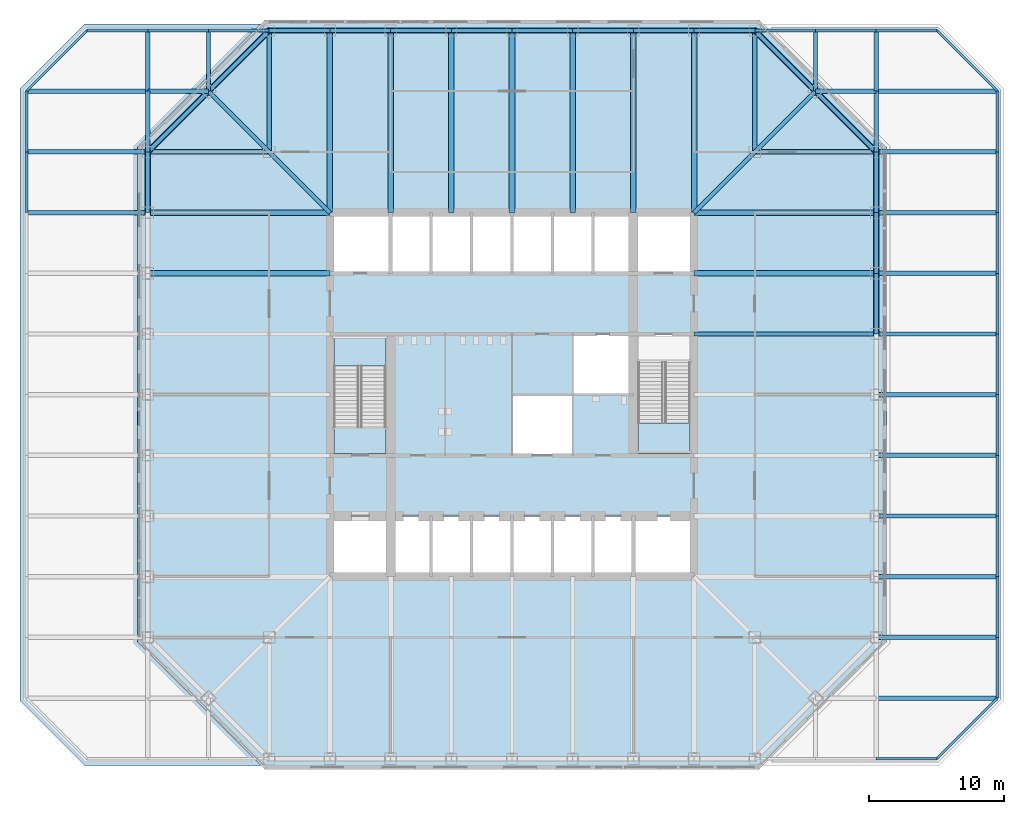
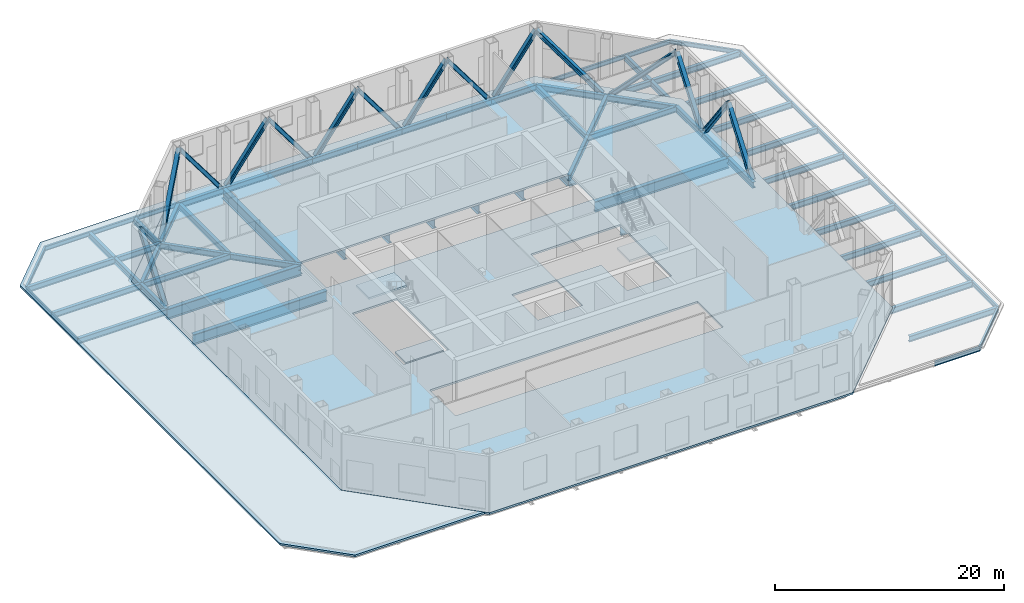
# One storey, part 2 of 10: 80 beams, 16 members, 5 slabs, 2 elements without a shape of their own.
"""IFC4 building model written with IfcOpenShell, lengths in metres."""

from ifc_helpers import new_model, si_unit, direction, frame, origin, origin_2d, place, context, subcontext, project, spatial, polyline, i_section, outline, extrude, material, layer, layer_set, material_profile, profile_set, type_object, element, aggregate, save


model = new_model("IFC4")

# Units and contexts
model_context = context("Model", 3, precision=1e-05, world=origin(), true_north=direction((0.0, 1.0)))
body_context = subcontext(model_context, "Body", "Model", "MODEL_VIEW")
ifc_project = project(units=[si_unit("LENGTHUNIT", "METRE"), si_unit("AREAUNIT", "SQUARE_METRE"), si_unit("VOLUMEUNIT", "CUBIC_METRE"), si_unit("PLANEANGLEUNIT", "RADIAN"), si_unit("MASSUNIT", "GRAM", prefix="KILO")], contexts=[model_context])

# Site, building, storey
site_placement = place(None, origin())
site = spatial("IfcSite", under=ifc_project, at=site_placement, CompositionType="ELEMENT")
building_placement = place(site_placement, origin())
building = spatial("IfcBuilding", under=site, at=building_placement, Name="Corais Broadcast Tower", CompositionType="ELEMENT")
storey_placement = place(building_placement, frame((0.0, 0.0, 23.0)))
storey = spatial("IfcBuildingStorey", under=building, at=storey_placement, Name="L04", CompositionType="ELEMENT", Elevation=23.0)

# Members
ifc_material_1 = material(Name="Steel ASTM A572 Grade 50", Category="steel")
ifc_material_profile_1 = material_profile(ifc_material_1, i_section(OverallWidth=0.404052734375, OverallDepth=0.406982421875, WebThickness=0.027099609375, FlangeThickness=0.043701171875, at=origin_2d()), Name="W360x347")
ifc_profile_set_1 = profile_set([ifc_material_profile_1], Name="Steel ASTM A572 Grade 50")
member_type = type_object("IfcMemberType", Name="Belt truss diagonal W360x347", PredefinedType="BRACE", material=ifc_profile_set_1)
for number, where, z_axis, x_axis, name in (
    (1, (54.0, 31.5, -0.517578125), (0.0, 0.597445358592, 0.801909623023), (-1.0, 0.0, 0.0), "BD1 belt truss diagonal"),
    (2, (54.0, 40.5, -0.517578125), (0.0, -0.597445358592, 0.801909623023), (1.0, 0.0, 0.0), "BD1 belt truss diagonal"),
    (3, (54.0, 40.5, -0.517578125), (0.0, 0.597445358592, 0.801909623023), (-1.0, 0.0, 0.0), "BD1 belt truss diagonal"),
):
    element("IfcMember", number, at=place(storey_placement, frame(where, z_axis=z_axis, x_axis=x_axis)), inside=storey, type_object=member_type, Name=name, PredefinedType="BRACE", context=body_context, shape_type="SweptSolid", body=[
        extrude(i_section(OverallWidth=0.404052734375, OverallDepth=0.406982421875, WebThickness=0.027099609375, FlangeThickness=0.043701171875, at=origin_2d()), origin(), (0.0, 0.0, 1.0), 7.531982421875),
    ])
for number, where, z_axis, x_axis, name in (
    (4, (49.5, 49.5, -0.517578125), (0.512882305449, -0.512882305449, 0.688406479861), (0.707106781187, 0.707106781187, 0.0), "BD1 belt truss diagonal"),
    (5, (49.5, 49.5, -0.517578125), (-0.512882305449, 0.512882305449, 0.688406479861), (-0.707106781187, -0.707106781187, 0.0), "BD1 belt truss diagonal"),
):
    element("IfcMember", number, at=place(storey_placement, frame(where, z_axis=z_axis, x_axis=x_axis)), inside=storey, type_object=member_type, Name=name, PredefinedType="BRACE", context=body_context, shape_type="SweptSolid", body=[
        extrude(i_section(OverallWidth=0.404052734375, OverallDepth=0.406982421875, WebThickness=0.027099609375, FlangeThickness=0.043701171875, at=origin_2d()), origin(), (0.0, 0.0, 1.0), 8.77392578125),
    ])
for number, where, z_axis, x_axis, name in (
    (6, (40.5, 54.0, -0.517578125), (0.597445358592, 0.0, 0.801909623023), (0.0, 1.0, 0.0), "BD1 belt truss diagonal"),
    (7, (40.5, 54.0, -0.517578125), (-0.597445358592, 0.0, 0.801909623023), (0.0, -1.0, 0.0), "BD1 belt truss diagonal"),
    (8, (31.5, 54.0, -0.517578125), (0.597445358592, 0.0, 0.801909623023), (0.0, 1.0, 0.0), "BD1 belt truss diagonal"),
    (9, (31.5, 54.0, -0.517578125), (-0.597445358592, 0.0, 0.801909623023), (0.0, -1.0, 0.0), "BD1 belt truss diagonal"),
    (10, (22.5, 54.0, -0.517578125), (0.597445358592, 0.0, 0.801909623023), (0.0, 1.0, 0.0), "BD1 belt truss diagonal"),
    (11, (22.5, 54.0, -0.517578125), (-0.597445358592, 0.0, 0.801909623023), (0.0, -1.0, 0.0), "BD1 belt truss diagonal"),
    (12, (13.5, 54.0, -0.517578125), (0.597445358592, 0.0, 0.801909623023), (0.0, 1.0, 0.0), "BD1 belt truss diagonal"),
    (13, (13.5, 54.0, -0.517578125), (-0.597445358592, 0.0, 0.801909623023), (0.0, -1.0, 0.0), "BD1 belt truss diagonal"),
):
    element("IfcMember", number, at=place(storey_placement, frame(where, z_axis=z_axis, x_axis=x_axis)), inside=storey, type_object=member_type, Name=name, PredefinedType="BRACE", context=body_context, shape_type="SweptSolid", body=[
        extrude(i_section(OverallWidth=0.404052734375, OverallDepth=0.406982421875, WebThickness=0.027099609375, FlangeThickness=0.043701171875, at=origin_2d()), origin(), (0.0, 0.0, 1.0), 7.531982421875),
    ])
for number, where, z_axis, x_axis, name in (
    (14, (4.5, 49.5, -0.517578125), (0.512882305449, 0.512882305449, 0.688406479861), (-0.707106781187, 0.707106781187, 0.0), "BD1 belt truss diagonal"),
    (15, (4.5, 49.5, -0.517578125), (-0.512882305449, -0.512882305449, 0.688406479861), (0.707106781187, -0.707106781187, 0.0), "BD1 belt truss diagonal"),
):
    element("IfcMember", number, at=place(storey_placement, frame(where, z_axis=z_axis, x_axis=x_axis)), inside=storey, type_object=member_type, Name=name, PredefinedType="BRACE", context=body_context, shape_type="SweptSolid", body=[
        extrude(i_section(OverallWidth=0.404052734375, OverallDepth=0.406982421875, WebThickness=0.027099609375, FlangeThickness=0.043701171875, at=origin_2d()), origin(), (0.0, 0.0, 1.0), 8.77392578125),
    ])
member_placement = place(storey_placement, frame((0.0, 40.5, -0.517578125), z_axis=(0.0, 0.597445358592, 0.801909623023), x_axis=(-1.0, 0.0, 0.0)))
element("IfcMember", 16, at=member_placement, inside=storey, type_object=member_type, Name="BD1 belt truss diagonal", PredefinedType="BRACE", context=body_context, shape_type="SweptSolid", body=[
    extrude(i_section(OverallWidth=0.404052734375, OverallDepth=0.406982421875, WebThickness=0.027099609375, FlangeThickness=0.043701171875, at=origin_2d()), origin(), (0.0, 0.0, 1.0), 7.531982421875),
])

# Beams
ifc_material_2 = material(Name="Steel ASTM A572 Grade 50", Category="steel")
ifc_material_profile_2 = material_profile(ifc_material_2, i_section(OverallWidth=0.323974609375, OverallDepth=0.611083984375, WebThickness=0.0126953125, FlangeThickness=0.01904296875, at=origin_2d()), Name="W610x155")
ifc_profile_set_2 = profile_set([ifc_material_profile_2], Name="Steel ASTM A572 Grade 50")
beam_type_1 = type_object("IfcBeamType", Name="Chamfer tie W610x155", PredefinedType="BEAM", material=ifc_profile_set_2)
for number, where, z_axis, x_axis, name in (
    (17, (0.0, 49.5, -0.505615234375), (0.0, -1.0, 0.0), (1.0, 0.0, 0.0), "B5 M/3 to L/3"),
    (18, (0.0, 49.5, -0.505615234375), (1.0, 0.0, 0.0), (0.0, 1.0, 0.0), "B5 M/3 to M/4"),
    (19, (0.0, 54.0, -0.505615234375), (0.0, -1.0, 0.0), (1.0, 0.0, 0.0), "B5 N/3 to M/3"),
):
    element("IfcBeam", number, at=place(storey_placement, frame(where, z_axis=z_axis, x_axis=x_axis)), inside=storey, type_object=beam_type_1, Name=name, PredefinedType="BEAM", context=body_context, shape_type="SweptSolid", body=[
        extrude(i_section(OverallWidth=0.323974609375, OverallDepth=0.611083984375, WebThickness=0.0126953125, FlangeThickness=0.01904296875, at=origin_2d()), origin(), (0.0, 0.0, 1.0), 4.5),
    ])
beam_1_placement = place(storey_placement, frame((4.5, 49.5, -0.505615234375), z_axis=(0.707106781187, -0.707106781187, 0.0), x_axis=(0.707106781187, 0.707106781187, 0.0)))
element("IfcBeam", 20, at=beam_1_placement, inside=storey, type_object=beam_type_1, Name="B5 M/4 to L/5", PredefinedType="BEAM", context=body_context, shape_type="SweptSolid", body=[
    extrude(i_section(OverallWidth=0.323974609375, OverallDepth=0.611083984375, WebThickness=0.0126953125, FlangeThickness=0.01904296875, at=origin_2d()), origin(), (0.0, 0.0, 1.0), 6.364013671875),
])
beam_2_placement = place(storey_placement, frame((4.5, 54.0, -0.505615234375), z_axis=(0.0, -1.0, 0.0), x_axis=(1.0, 0.0, 0.0)))
element("IfcBeam", 21, at=beam_2_placement, inside=storey, type_object=beam_type_1, Name="B5 N/4 to M/4", PredefinedType="BEAM", context=body_context, shape_type="SweptSolid", body=[
    extrude(i_section(OverallWidth=0.323974609375, OverallDepth=0.611083984375, WebThickness=0.0126953125, FlangeThickness=0.01904296875, at=origin_2d()), origin(), (0.0, 0.0, 1.0), 4.5),
])
beam_3_placement = place(storey_placement, frame((49.5, 49.5, -0.505615234375), z_axis=(-0.707106781187, -0.707106781187, 0.0), x_axis=(0.707106781187, -0.707106781187, 0.0)))
element("IfcBeam", 22, at=beam_3_placement, inside=storey, type_object=beam_type_1, Name="B5 M/14 to L/13", PredefinedType="BEAM", context=body_context, shape_type="SweptSolid", body=[
    extrude(i_section(OverallWidth=0.323974609375, OverallDepth=0.611083984375, WebThickness=0.0126953125, FlangeThickness=0.01904296875, at=origin_2d()), origin(), (0.0, 0.0, 1.0), 6.364013671875),
])
for number, where, z_axis, x_axis, name in (
    (23, (49.5, 54.0, -0.505615234375), (0.0, -1.0, 0.0), (1.0, 0.0, 0.0), "B5 N/14 to M/14"),
    (24, (54.0, 49.5, -0.505615234375), (-1.0, 0.0, 0.0), (0.0, -1.0, 0.0), "B5 M/15 to M/14"),
    (25, (54.0, 49.5, -0.505615234375), (0.0, -1.0, 0.0), (1.0, 0.0, 0.0), "B5 M/15 to L/15"),
    (26, (54.0, 54.0, -0.505615234375), (0.0, -1.0, 0.0), (1.0, 0.0, 0.0), "B5 N/15 to M/15"),
):
    element("IfcBeam", number, at=place(storey_placement, frame(where, z_axis=z_axis, x_axis=x_axis)), inside=storey, type_object=beam_type_1, Name=name, PredefinedType="BEAM", context=body_context, shape_type="SweptSolid", body=[
        extrude(i_section(OverallWidth=0.323974609375, OverallDepth=0.611083984375, WebThickness=0.0126953125, FlangeThickness=0.01904296875, at=origin_2d()), origin(), (0.0, 0.0, 1.0), 4.5),
    ])
ifc_material_3 = material(Name="Steel ASTM A572 Grade 50", Category="steel")
ifc_material_profile_3 = material_profile(ifc_material_3, i_section(OverallWidth=0.405029296875, OverallDepth=1.117919921875, WebThickness=0.02197265625, FlangeThickness=0.0400390625, at=origin_2d()), Name="W1100x433")
ifc_profile_set_3 = profile_set([ifc_material_profile_3], Name="Steel ASTM A572 Grade 50")
beam_type_2 = type_object("IfcBeamType", Name="Collector beam W1100x433", PredefinedType="BEAM", material=ifc_profile_set_3)
for number, where, z_axis, x_axis, name in (
    (27, (0.0, 36.0, -0.759033203125), (1.0, 0.0, 0.0), (0.0, 1.0, 0.0), "B16 J/3 to J/6"),
    (28, (0.0, 40.5, -0.759033203125), (1.0, 0.0, 0.0), (0.0, 1.0, 0.0), "B16 K/3 to K/6"),
    (29, (13.5, 54.0, -0.759033203125), (0.0, -1.0, 0.0), (1.0, 0.0, 0.0), "B16 N/6 to K/6"),
    (30, (18.0, 54.0, -0.759033203125), (0.0, -1.0, 0.0), (1.0, 0.0, 0.0), "B16 N/7 to K/7"),
    (31, (36.0, 54.0, -0.759033203125), (0.0, -1.0, 0.0), (1.0, 0.0, 0.0), "B16 N/11 to K/11"),
    (32, (40.5, 54.0, -0.759033203125), (0.0, -1.0, 0.0), (1.0, 0.0, 0.0), "B16 N/12 to K/12"),
    (33, (54.0, 36.0, -0.759033203125), (-1.0, 0.0, 0.0), (0.0, -1.0, 0.0), "B16 J/15 to J/12"),
    (34, (54.0, 40.5, -0.759033203125), (-1.0, 0.0, 0.0), (0.0, -1.0, 0.0), "B16 K/15 to K/12"),
):
    element("IfcBeam", number, at=place(storey_placement, frame(where, z_axis=z_axis, x_axis=x_axis)), inside=storey, type_object=beam_type_2, Name=name, PredefinedType="BEAM", context=body_context, shape_type="SweptSolid", body=[
        extrude(i_section(OverallWidth=0.405029296875, OverallDepth=1.117919921875, WebThickness=0.02197265625, FlangeThickness=0.0400390625, at=origin_2d()), origin(), (0.0, 0.0, 1.0), 13.5),
    ])
ifc_material_4 = material(Name="Steel ASTM A572 Grade 50", Category="steel")
ifc_material_profile_4 = material_profile(ifc_material_4, i_section(OverallWidth=0.323974609375, OverallDepth=0.611083984375, WebThickness=0.0126953125, FlangeThickness=0.01904296875, at=origin_2d()), Name="W610x155")
ifc_profile_set_4 = profile_set([ifc_material_profile_4], Name="Steel ASTM A572 Grade 50")
beam_type_3 = type_object("IfcBeamType", Name="Corner diagonal W610x155", PredefinedType="BEAM", material=ifc_profile_set_4)
for number, where, z_axis, x_axis, name in (
    (35, (45.0, 45.0, -0.505615234375), (-0.707106781187, -0.707106781187, 0.0), (0.707106781187, -0.707106781187, 0.0), "B6 L/13 to K/12"),
    (36, (9.0, 45.0, -0.505615234375), (0.707106781187, -0.707106781187, 0.0), (0.707106781187, 0.707106781187, 0.0), "B6 L/5 to K/6"),
):
    element("IfcBeam", number, at=place(storey_placement, frame(where, z_axis=z_axis, x_axis=x_axis)), inside=storey, type_object=beam_type_3, Name=name, PredefinedType="BEAM", context=body_context, shape_type="SweptSolid", body=[
        extrude(i_section(OverallWidth=0.323974609375, OverallDepth=0.611083984375, WebThickness=0.0126953125, FlangeThickness=0.01904296875, at=origin_2d()), origin(), (0.0, 0.0, 1.0), 6.364013671875),
    ])
ifc_material_5 = material(Name="Steel ASTM A572 Grade 50", Category="steel")
ifc_material_profile_5 = material_profile(ifc_material_5, i_section(OverallWidth=0.323974609375, OverallDepth=0.611083984375, WebThickness=0.0126953125, FlangeThickness=0.01904296875, at=origin_2d()), Name="W610x155")
ifc_profile_set_5 = profile_set([ifc_material_profile_5], Name="Steel ASTM A572 Grade 50")
beam_type_4 = type_object("IfcBeamType", Name="Corner girder W610x155", PredefinedType="BEAM", material=ifc_profile_set_5)
for number, where, z_axis, x_axis, name in (
    (37, (0.0, 45.0, -0.505615234375), (1.0, 0.0, 0.0), (0.0, 1.0, 0.0), "B4 L/3 to L/5"),
    (38, (45.0, 54.0, -0.505615234375), (0.0, -1.0, 0.0), (1.0, 0.0, 0.0), "B4 N/13 to L/13"),
    (39, (54.0, 45.0, -0.505615234375), (-1.0, 0.0, 0.0), (0.0, -1.0, 0.0), "B4 L/15 to L/13"),
    (40, (9.0, 54.0, -0.505615234375), (0.0, -1.0, 0.0), (1.0, 0.0, 0.0), "B4 N/5 to L/5"),
):
    element("IfcBeam", number, at=place(storey_placement, frame(where, z_axis=z_axis, x_axis=x_axis)), inside=storey, type_object=beam_type_4, Name=name, PredefinedType="BEAM", context=body_context, shape_type="SweptSolid", body=[
        extrude(i_section(OverallWidth=0.323974609375, OverallDepth=0.611083984375, WebThickness=0.0126953125, FlangeThickness=0.01904296875, at=origin_2d()), origin(), (0.0, 0.0, 1.0), 9.0),
    ])
ifc_material_6 = material(Name="Steel ASTM A572 Grade 50", Category="steel")
ifc_material_profile_6 = material_profile(ifc_material_6, i_section(OverallWidth=0.30908203125, OverallDepth=0.931884765625, WebThickness=0.02099609375, FlangeThickness=0.034423828125, at=origin_2d()), Name="W920x313")
ifc_profile_set_6 = profile_set([ifc_material_profile_6], Name="Steel ASTM A572 Grade 50")
beam_type_5 = type_object("IfcBeamType", Name="Plant floor beam W920x313", PredefinedType="BEAM", material=ifc_profile_set_6)
beam_4_placement = place(storey_placement, frame((54.0, 31.5, -0.666015625), z_axis=(-1.0, 0.0, 0.0), x_axis=(0.0, -1.0, 0.0)))
element("IfcBeam", 41, at=beam_4_placement, inside=storey, type_object=beam_type_5, Name="B17 H/15 to H/12", PredefinedType="BEAM", context=body_context, shape_type="SweptSolid", body=[
    extrude(i_section(OverallWidth=0.30908203125, OverallDepth=0.931884765625, WebThickness=0.02099609375, FlangeThickness=0.034423828125, at=origin_2d()), origin(), (0.0, 0.0, 1.0), 13.5),
])
ifc_material_7 = material(Name="Steel ASTM A572 Grade 50", Category="steel")
ifc_material_profile_7 = material_profile(ifc_material_7, i_section(OverallWidth=0.3291015625, OverallDepth=0.635009765625, WebThickness=0.017822265625, FlangeThickness=0.031005859375, at=origin_2d()), Name="W610x241")
ifc_profile_set_7 = profile_set([ifc_material_profile_7], Name="Steel ASTM A572 Grade 50")
beam_type_6 = type_object("IfcBeamType", Name="Spandrel W610x241", PredefinedType="BEAM", material=ifc_profile_set_7)
for number, where, z_axis, x_axis, name in (
    (42, (0.0, 45.0, -0.517578125), (0.0, -1.0, 0.0), (1.0, 0.0, 0.0), "SB1 L/3 to K/3"),
    (43, (13.5, 54.0, -0.517578125), (-1.0, 0.0, 0.0), (0.0, -1.0, 0.0), "SB1 N/6 to N/5"),
    (44, (18.0, 54.0, -0.517578125), (-1.0, 0.0, 0.0), (0.0, -1.0, 0.0), "SB1 N/7 to N/6"),
    (45, (22.5, 54.0, -0.517578125), (-1.0, 0.0, 0.0), (0.0, -1.0, 0.0), "SB1 N/8 to N/7"),
    (46, (27.0, 54.0, -0.517578125), (-1.0, 0.0, 0.0), (0.0, -1.0, 0.0), "SB1 N/9 to N/8"),
    (47, (31.5, 54.0, -0.517578125), (-1.0, 0.0, 0.0), (0.0, -1.0, 0.0), "SB1 N/10 to N/9"),
    (48, (36.0, 54.0, -0.517578125), (-1.0, 0.0, 0.0), (0.0, -1.0, 0.0), "SB1 N/11 to N/10"),
):
    element("IfcBeam", number, at=place(storey_placement, frame(where, z_axis=z_axis, x_axis=x_axis)), inside=storey, type_object=beam_type_6, Name=name, PredefinedType="BEAM", context=body_context, shape_type="SweptSolid", body=[
        extrude(i_section(OverallWidth=0.3291015625, OverallDepth=0.635009765625, WebThickness=0.017822265625, FlangeThickness=0.031005859375, at=origin_2d()), origin(), (0.0, 0.0, 1.0), 4.5),
    ])
beam_5_placement = place(storey_placement, frame((4.5, 49.5, -0.517578125), z_axis=(-0.707106781187, -0.707106781187, 0.0), x_axis=(0.707106781187, -0.707106781187, 0.0)))
element("IfcBeam", 49, at=beam_5_placement, inside=storey, type_object=beam_type_6, Name="SB1 M/4 to L/3", PredefinedType="BEAM", context=body_context, shape_type="SweptSolid", body=[
    extrude(i_section(OverallWidth=0.3291015625, OverallDepth=0.635009765625, WebThickness=0.017822265625, FlangeThickness=0.031005859375, at=origin_2d()), origin(), (0.0, 0.0, 1.0), 6.364013671875),
])
for number, where, z_axis, x_axis, name in (
    (50, (40.5, 54.0, -0.517578125), (-1.0, 0.0, 0.0), (0.0, -1.0, 0.0), "SB1 N/12 to N/11"),
    (51, (45.0, 54.0, -0.517578125), (-1.0, 0.0, 0.0), (0.0, -1.0, 0.0), "SB1 N/13 to N/12"),
):
    element("IfcBeam", number, at=place(storey_placement, frame(where, z_axis=z_axis, x_axis=x_axis)), inside=storey, type_object=beam_type_6, Name=name, PredefinedType="BEAM", context=body_context, shape_type="SweptSolid", body=[
        extrude(i_section(OverallWidth=0.3291015625, OverallDepth=0.635009765625, WebThickness=0.017822265625, FlangeThickness=0.031005859375, at=origin_2d()), origin(), (0.0, 0.0, 1.0), 4.5),
    ])
beam_6_placement = place(storey_placement, frame((49.5, 49.5, -0.517578125), z_axis=(-0.707106781187, 0.707106781187, 0.0), x_axis=(-0.707106781187, -0.707106781187, 0.0)))
element("IfcBeam", 52, at=beam_6_placement, inside=storey, type_object=beam_type_6, Name="SB1 M/14 to N/13", PredefinedType="BEAM", context=body_context, shape_type="SweptSolid", body=[
    extrude(i_section(OverallWidth=0.3291015625, OverallDepth=0.635009765625, WebThickness=0.017822265625, FlangeThickness=0.031005859375, at=origin_2d()), origin(), (0.0, 0.0, 1.0), 6.364013671875),
])
for number, where, z_axis, x_axis, name in (
    (53, (54.0, 31.5, -0.517578125), (0.0, 1.0, 0.0), (-1.0, 0.0, 0.0), "SB1 H/15 to J/15"),
    (54, (54.0, 36.0, -0.517578125), (0.0, 1.0, 0.0), (-1.0, 0.0, 0.0), "SB1 J/15 to K/15"),
    (55, (54.0, 40.5, -0.517578125), (0.0, 1.0, 0.0), (-1.0, 0.0, 0.0), "SB1 K/15 to L/15"),
):
    element("IfcBeam", number, at=place(storey_placement, frame(where, z_axis=z_axis, x_axis=x_axis)), inside=storey, type_object=beam_type_6, Name=name, PredefinedType="BEAM", context=body_context, shape_type="SweptSolid", body=[
        extrude(i_section(OverallWidth=0.3291015625, OverallDepth=0.635009765625, WebThickness=0.017822265625, FlangeThickness=0.031005859375, at=origin_2d()), origin(), (0.0, 0.0, 1.0), 4.5),
    ])
for number, where, z_axis, x_axis, name in (
    (56, (54.0, 45.0, -0.517578125), (-0.707106781187, 0.707106781187, 0.0), (-0.707106781187, -0.707106781187, 0.0), "SB1 L/15 to M/14"),
    (57, (9.0, 54.0, -0.517578125), (-0.707106781187, -0.707106781187, 0.0), (0.707106781187, -0.707106781187, 0.0), "SB1 N/5 to M/4"),
):
    element("IfcBeam", number, at=place(storey_placement, frame(where, z_axis=z_axis, x_axis=x_axis)), inside=storey, type_object=beam_type_6, Name=name, PredefinedType="BEAM", context=body_context, shape_type="SweptSolid", body=[
        extrude(i_section(OverallWidth=0.3291015625, OverallDepth=0.635009765625, WebThickness=0.017822265625, FlangeThickness=0.031005859375, at=origin_2d()), origin(), (0.0, 0.0, 1.0), 6.364013671875),
    ])
ifc_material_8 = material(Name="Steel ASTM A572 Grade 50", Category="steel")
ifc_material_profile_8 = material_profile(ifc_material_8, i_section(OverallWidth=0.4189453125, OverallDepth=0.94189453125, WebThickness=0.022216796875, FlangeThickness=0.03662109375, at=origin_2d()), Name="W920x345")
ifc_profile_set_8 = profile_set([ifc_material_profile_8], Name="Steel ASTM A572 Grade 50")
beam_type_7 = type_object("IfcBeamType", Name="Tank room floor beam W920x345", PredefinedType="BEAM", material=ifc_profile_set_8)
for number, where, z_axis, x_axis, name in (
    (58, (22.5, 54.0, -0.6708984375), (0.0, -1.0, 0.0), (1.0, 0.0, 0.0), "B20 N/8 to K/8"),
    (59, (27.0, 54.0, -0.6708984375), (0.0, -1.0, 0.0), (1.0, 0.0, 0.0), "B20 N/9 to K/9"),
    (60, (31.5, 54.0, -0.6708984375), (0.0, -1.0, 0.0), (1.0, 0.0, 0.0), "B20 N/10 to K/10"),
):
    element("IfcBeam", number, at=place(storey_placement, frame(where, z_axis=z_axis, x_axis=x_axis)), inside=storey, type_object=beam_type_7, Name=name, PredefinedType="BEAM", context=body_context, shape_type="SweptSolid", body=[
        extrude(i_section(OverallWidth=0.4189453125, OverallDepth=0.94189453125, WebThickness=0.022216796875, FlangeThickness=0.03662109375, at=origin_2d()), origin(), (0.0, 0.0, 1.0), 13.5),
    ])
ifc_material_9 = material(Name="Steel ASTM A572 Grade 50", Category="steel")
ifc_material_profile_9 = material_profile(ifc_material_9, i_section(OverallWidth=0.18994140625, OverallDepth=0.45703125, WebThickness=0.009033203125, FlangeThickness=0.014404296875, at=origin_2d()), Name="W460x74")
ifc_profile_set_9 = profile_set([ifc_material_profile_9], Name="Steel ASTM A572 Grade 50")
beam_type_8 = type_object("IfcBeamType", Name="Wing edge beam W460x74", PredefinedType="BEAM", material=ifc_profile_set_9)
beam_7_placement = place(storey_placement, frame((-4.5, 54.0, -0.428466796875), z_axis=(-0.707106781187, -0.707106781187, 0.0), x_axis=(0.707106781187, -0.707106781187, 0.0)))
element("IfcBeam", 61, at=beam_7_placement, inside=storey, type_object=beam_type_8, Name="B7 N/2 to M/1", PredefinedType="BEAM", context=body_context, shape_type="SweptSolid", body=[
    extrude(i_section(OverallWidth=0.18994140625, OverallDepth=0.45703125, WebThickness=0.009033203125, FlangeThickness=0.014404296875, at=origin_2d()), origin(), (0.0, 0.0, 1.0), 6.364013671875),
])
for number, where, z_axis, x_axis, name in (
    (62, (-9.0, 45.0, -0.428466796875), (0.0, -1.0, 0.0), (1.0, 0.0, 0.0), "B7 L/1 to K/1"),
    (63, (-9.0, 49.5, -0.428466796875), (0.0, -1.0, 0.0), (1.0, 0.0, 0.0), "B7 M/1 to L/1"),
    (64, (0.0, 54.0, -0.428466796875), (-1.0, 0.0, 0.0), (0.0, -1.0, 0.0), "B7 N/3 to N/2"),
    (65, (4.5, 54.0, -0.428466796875), (-1.0, 0.0, 0.0), (0.0, -1.0, 0.0), "B7 N/4 to N/3"),
    (66, (49.5, 54.0, -0.428466796875), (-1.0, 0.0, 0.0), (0.0, -1.0, 0.0), "B7 N/14 to N/13"),
    (67, (54.0, 0.0, -0.428466796875), (1.0, 0.0, 0.0), (0.0, 1.0, 0.0), "B7 A/15 to A/16"),
    (68, (54.0, 54.0, -0.428466796875), (-1.0, 0.0, 0.0), (0.0, -1.0, 0.0), "B7 N/15 to N/14"),
):
    element("IfcBeam", number, at=place(storey_placement, frame(where, z_axis=z_axis, x_axis=x_axis)), inside=storey, type_object=beam_type_8, Name=name, PredefinedType="BEAM", context=body_context, shape_type="SweptSolid", body=[
        extrude(i_section(OverallWidth=0.18994140625, OverallDepth=0.45703125, WebThickness=0.009033203125, FlangeThickness=0.014404296875, at=origin_2d()), origin(), (0.0, 0.0, 1.0), 4.5),
    ])
beam_8_placement = place(storey_placement, frame((58.5, 0.0, -0.428466796875), z_axis=(0.707106781187, 0.707106781187, 0.0), x_axis=(-0.707106781187, 0.707106781187, 0.0)))
element("IfcBeam", 69, at=beam_8_placement, inside=storey, type_object=beam_type_8, Name="B7 A/16 to B/17", PredefinedType="BEAM", context=body_context, shape_type="SweptSolid", body=[
    extrude(i_section(OverallWidth=0.18994140625, OverallDepth=0.45703125, WebThickness=0.009033203125, FlangeThickness=0.014404296875, at=origin_2d()), origin(), (0.0, 0.0, 1.0), 6.364013671875),
])
for number, where, z_axis, x_axis, name in (
    (70, (58.5, 54.0, -0.428466796875), (-1.0, 0.0, 0.0), (0.0, -1.0, 0.0), "B7 N/16 to N/15"),
    (71, (63.0, 13.5, -0.428466796875), (0.0, 1.0, 0.0), (-1.0, 0.0, 0.0), "B7 D/17 to E/17"),
    (72, (63.0, 18.0, -0.428466796875), (0.0, 1.0, 0.0), (-1.0, 0.0, 0.0), "B7 E/17 to F/17"),
    (73, (63.0, 22.5, -0.428466796875), (0.0, 1.0, 0.0), (-1.0, 0.0, 0.0), "B7 F/17 to G/17"),
    (74, (63.0, 27.0, -0.428466796875), (0.0, 1.0, 0.0), (-1.0, 0.0, 0.0), "B7 G/17 to H/17"),
    (75, (63.0, 31.5, -0.428466796875), (0.0, 1.0, 0.0), (-1.0, 0.0, 0.0), "B7 H/17 to J/17"),
    (76, (63.0, 36.0, -0.428466796875), (0.0, 1.0, 0.0), (-1.0, 0.0, 0.0), "B7 J/17 to K/17"),
    (77, (63.0, 4.5, -0.428466796875), (0.0, 1.0, 0.0), (-1.0, 0.0, 0.0), "B7 B/17 to C/17"),
    (78, (63.0, 40.5, -0.428466796875), (0.0, 1.0, 0.0), (-1.0, 0.0, 0.0), "B7 K/17 to L/17"),
    (79, (63.0, 45.0, -0.428466796875), (0.0, 1.0, 0.0), (-1.0, 0.0, 0.0), "B7 L/17 to M/17"),
):
    element("IfcBeam", number, at=place(storey_placement, frame(where, z_axis=z_axis, x_axis=x_axis)), inside=storey, type_object=beam_type_8, Name=name, PredefinedType="BEAM", context=body_context, shape_type="SweptSolid", body=[
        extrude(i_section(OverallWidth=0.18994140625, OverallDepth=0.45703125, WebThickness=0.009033203125, FlangeThickness=0.014404296875, at=origin_2d()), origin(), (0.0, 0.0, 1.0), 4.5),
    ])
beam_9_placement = place(storey_placement, frame((63.0, 49.5, -0.428466796875), z_axis=(-0.707106781187, 0.707106781187, 0.0), x_axis=(-0.707106781187, -0.707106781187, 0.0)))
element("IfcBeam", 80, at=beam_9_placement, inside=storey, type_object=beam_type_8, Name="B7 M/17 to N/16", PredefinedType="BEAM", context=body_context, shape_type="SweptSolid", body=[
    extrude(i_section(OverallWidth=0.18994140625, OverallDepth=0.45703125, WebThickness=0.009033203125, FlangeThickness=0.014404296875, at=origin_2d()), origin(), (0.0, 0.0, 1.0), 6.364013671875),
])
for number, where, z_axis, x_axis, name in (
    (81, (63.0, 9.0, -0.428466796875), (0.0, 1.0, 0.0), (-1.0, 0.0, 0.0), "B7 C/17 to D/17"),
    (82, (9.0, 54.0, -0.428466796875), (-1.0, 0.0, 0.0), (0.0, -1.0, 0.0), "B7 N/5 to N/4"),
):
    element("IfcBeam", number, at=place(storey_placement, frame(where, z_axis=z_axis, x_axis=x_axis)), inside=storey, type_object=beam_type_8, Name=name, PredefinedType="BEAM", context=body_context, shape_type="SweptSolid", body=[
        extrude(i_section(OverallWidth=0.18994140625, OverallDepth=0.45703125, WebThickness=0.009033203125, FlangeThickness=0.014404296875, at=origin_2d()), origin(), (0.0, 0.0, 1.0), 4.5),
    ])
ifc_material_10 = material(Name="Steel ASTM A572 Grade 50", Category="steel")
ifc_material_profile_10 = material_profile(ifc_material_10, i_section(OverallWidth=0.323974609375, OverallDepth=0.611083984375, WebThickness=0.0126953125, FlangeThickness=0.01904296875, at=origin_2d()), Name="W610x155")
ifc_profile_set_10 = profile_set([ifc_material_profile_10], Name="Steel ASTM A572 Grade 50")
beam_type_9 = type_object("IfcBeamType", Name="Wing girder W610x155", PredefinedType="BEAM", material=ifc_profile_set_10)
for number, where, z_axis, x_axis, name in (
    (83, (-9.0, 40.5, -0.505615234375), (1.0, 0.0, 0.0), (0.0, 1.0, 0.0), "B11 K/1 to K/3"),
    (84, (-9.0, 45.0, -0.505615234375), (1.0, 0.0, 0.0), (0.0, 1.0, 0.0), "B11 L/1 to L/3"),
    (85, (-9.0, 49.5, -0.505615234375), (1.0, 0.0, 0.0), (0.0, 1.0, 0.0), "B11 M/1 to M/3"),
    (86, (54.0, 13.5, -0.505615234375), (1.0, 0.0, 0.0), (0.0, 1.0, 0.0), "B11 D/15 to D/17"),
    (87, (54.0, 18.0, -0.505615234375), (1.0, 0.0, 0.0), (0.0, 1.0, 0.0), "B11 E/15 to E/17"),
    (88, (54.0, 22.5, -0.505615234375), (1.0, 0.0, 0.0), (0.0, 1.0, 0.0), "B11 F/15 to F/17"),
    (89, (54.0, 27.0, -0.505615234375), (1.0, 0.0, 0.0), (0.0, 1.0, 0.0), "B11 G/15 to G/17"),
    (90, (54.0, 31.5, -0.505615234375), (1.0, 0.0, 0.0), (0.0, 1.0, 0.0), "B11 H/15 to H/17"),
    (91, (54.0, 36.0, -0.505615234375), (1.0, 0.0, 0.0), (0.0, 1.0, 0.0), "B11 J/15 to J/17"),
    (92, (54.0, 4.5, -0.505615234375), (1.0, 0.0, 0.0), (0.0, 1.0, 0.0), "B11 B/15 to B/17"),
    (93, (54.0, 40.5, -0.505615234375), (1.0, 0.0, 0.0), (0.0, 1.0, 0.0), "B11 K/15 to K/17"),
    (94, (54.0, 45.0, -0.505615234375), (1.0, 0.0, 0.0), (0.0, 1.0, 0.0), "B11 L/15 to L/17"),
    (95, (54.0, 49.5, -0.505615234375), (1.0, 0.0, 0.0), (0.0, 1.0, 0.0), "B11 M/15 to M/17"),
    (96, (54.0, 9.0, -0.505615234375), (1.0, 0.0, 0.0), (0.0, 1.0, 0.0), "B11 C/15 to C/17"),
):
    element("IfcBeam", number, at=place(storey_placement, frame(where, z_axis=z_axis, x_axis=x_axis)), inside=storey, type_object=beam_type_9, Name=name, PredefinedType="BEAM", context=body_context, shape_type="SweptSolid", body=[
        extrude(i_section(OverallWidth=0.323974609375, OverallDepth=0.611083984375, WebThickness=0.0126953125, FlangeThickness=0.01904296875, at=origin_2d()), origin(), (0.0, 0.0, 1.0), 9.0),
    ])

# Slabs
ifc_material_11 = material(Name="Concrete C30/37", Category="concrete")
ifc_layer_1 = layer(ifc_material_11, 0.199951171875)
ifc_layer_set_1 = layer_set([ifc_layer_1], Name="Concrete C30/37")
slab_type_1 = type_object("IfcSlabType", Name="Composite floor slab 200", PredefinedType="FLOOR", material=ifc_layer_set_1)
slab_1_placement = place(storey_placement, frame((0.0, 0.0, -0.199951171875)))
element("IfcSlab", 97, at=slab_1_placement, inside=storey, type_object=slab_type_1, Name="S200 floor slab L04", PredefinedType="FLOOR", context=body_context, shape_type="SweptSolid", body=[
    extrude(outline(polyline([(8.677001953125, -0.780029296875), (-0.780029296875, 8.677001953125), (-0.780029296875, 45.322998046875), (8.677001953125, 54.780029296875), (45.322998046875, 54.780029296875), (54.780029296875, 45.322998046875), (54.780029296875, 8.677001953125), (45.322998046875, -0.780029296875), (8.677001953125, -0.780029296875)]), holes=[polyline([(13.5, 18.0), (40.5, 18.0), (40.5, 13.5), (13.5, 13.5), (13.5, 18.0)]), polyline([(13.5, 22.5), (13.5, 31.5), (18.0, 31.5), (18.0, 22.5), (13.5, 22.5)]), polyline([(13.5, 40.5), (40.5, 40.5), (40.5, 36.0), (13.5, 36.0), (13.5, 40.5)]), polyline([(27.0, 22.5), (27.0, 27.0), (31.4951171875, 27.0), (31.4951171875, 27.0048828125), (31.5, 27.0048828125), (31.5, 31.5), (40.5, 31.5), (40.5, 22.5), (36.0, 22.5), (36.0, 27.0), (31.5048828125, 27.0), (31.5048828125, 26.9951171875), (31.5, 26.9951171875), (31.5, 22.5), (27.0, 22.5)])]), origin(), (0.0, 0.0, 1.0), 0.199951171875),
])
ifc_material_12 = material(Name="Concrete C30/37", Category="concrete")
ifc_layer_2 = layer(ifc_material_12, 0.199951171875)
ifc_layer_set_2 = layer_set([ifc_layer_2], Name="Concrete C30/37")
slab_type_2 = type_object("IfcSlabType", Name="Roof slab 200", PredefinedType="ROOF", material=ifc_layer_set_2)
slab_2_placement = place(storey_placement, frame((0.0, 0.0, -0.199951171875)))
element("IfcSlab", 98, at=slab_2_placement, inside=storey, type_object=slab_type_2, Name="RS1 roof over L03 1, maintenance access only", PredefinedType="ROOF", context=body_context, shape_type="SweptSolid", body=[
    extrude(outline(polyline([(-9.47998046875, 4.30126953125), (-9.47998046875, 49.69873046875), (-4.69873046875, 54.47998046875), (8.376953125, 54.47998046875), (-0.780029296875, 45.322998046875), (-0.780029296875, 8.677001953125), (8.376953125, -0.47998046875), (-4.69873046875, -0.47998046875), (-9.47998046875, 4.30126953125)])), origin(), (0.0, 0.0, 1.0), 0.199951171875),
])

# Stair, slabs
ifc_material_13 = material(Name="Concrete C30/37", Category="concrete")
stair_type = type_object("IfcStairType", Name="Half-turn stair 6000", PredefinedType="HALF_TURN_STAIR", material=ifc_material_13)
stair_1_placement = place(storey_placement, origin())
stair_1 = element("IfcStair", 99, at=stair_1_placement, inside=storey, type_object=stair_type, Name="Stair A L04", PredefinedType="HALF_TURN_STAIR")
ifc_material_14 = material(Name="Concrete C30/37", Category="concrete")
ifc_layer_3 = layer(ifc_material_14, 0.199951171875)
ifc_layer_set_3 = layer_set([ifc_layer_3], Name="Concrete C30/37")
slab_type_3 = type_object("IfcSlabType", Name="Stair landing 200", PredefinedType="LANDING", material=ifc_layer_set_3)
slab_3_placement = place(storey_placement, frame((0.0, 0.0, -0.199951171875)))
slab_3 = element("IfcSlab", 100, at=slab_3_placement, type_object=slab_type_3, Name="STA landing 1", PredefinedType="LANDING", context=body_context, shape_type="SweptSolid", body=[
    extrude(outline(polyline([(13.800048828125, 22.64990234375), (17.64990234375, 22.64990234375), (17.64990234375, 24.60009765625), (13.800048828125, 24.60009765625), (13.800048828125, 22.64990234375)])), origin(), (0.0, 0.0, 1.0), 0.199951171875),
])
slab_4_placement = place(storey_placement, frame((0.0, 0.0, 2.800048828125)))
slab_4 = element("IfcSlab", 101, at=slab_4_placement, type_object=slab_type_3, Name="STA landing 2", PredefinedType="LANDING", context=body_context, shape_type="SweptSolid", body=[
    extrude(outline(polyline([(13.800048828125, 29.112060546875), (17.64990234375, 29.112060546875), (17.64990234375, 31.35009765625), (13.800048828125, 31.35009765625), (13.800048828125, 29.112060546875)])), origin(), (0.0, 0.0, 1.0), 0.199951171875),
])
aggregate(stair_1, [slab_3, slab_4])

# Stair, slab
stair_2_placement = place(storey_placement, origin())
stair_2 = element("IfcStair", 102, at=stair_2_placement, inside=storey, type_object=stair_type, Name="Stair B L04", PredefinedType="HALF_TURN_STAIR")
slab_5_placement = place(storey_placement, frame((0.0, 0.0, 2.800048828125)))
slab_5 = element("IfcSlab", 103, at=slab_5_placement, type_object=slab_type_3, Name="STB landing 2", PredefinedType="LANDING", context=body_context, shape_type="SweptSolid", body=[
    extrude(outline(polyline([(36.35009765625, 22.64990234375), (40.199951171875, 22.64990234375), (40.199951171875, 24.887939453125), (36.35009765625, 24.887939453125), (36.35009765625, 22.64990234375)])), origin(), (0.0, 0.0, 1.0), 0.199951171875),
])
aggregate(stair_2, [slab_5])

save(model, "model.ifc")
